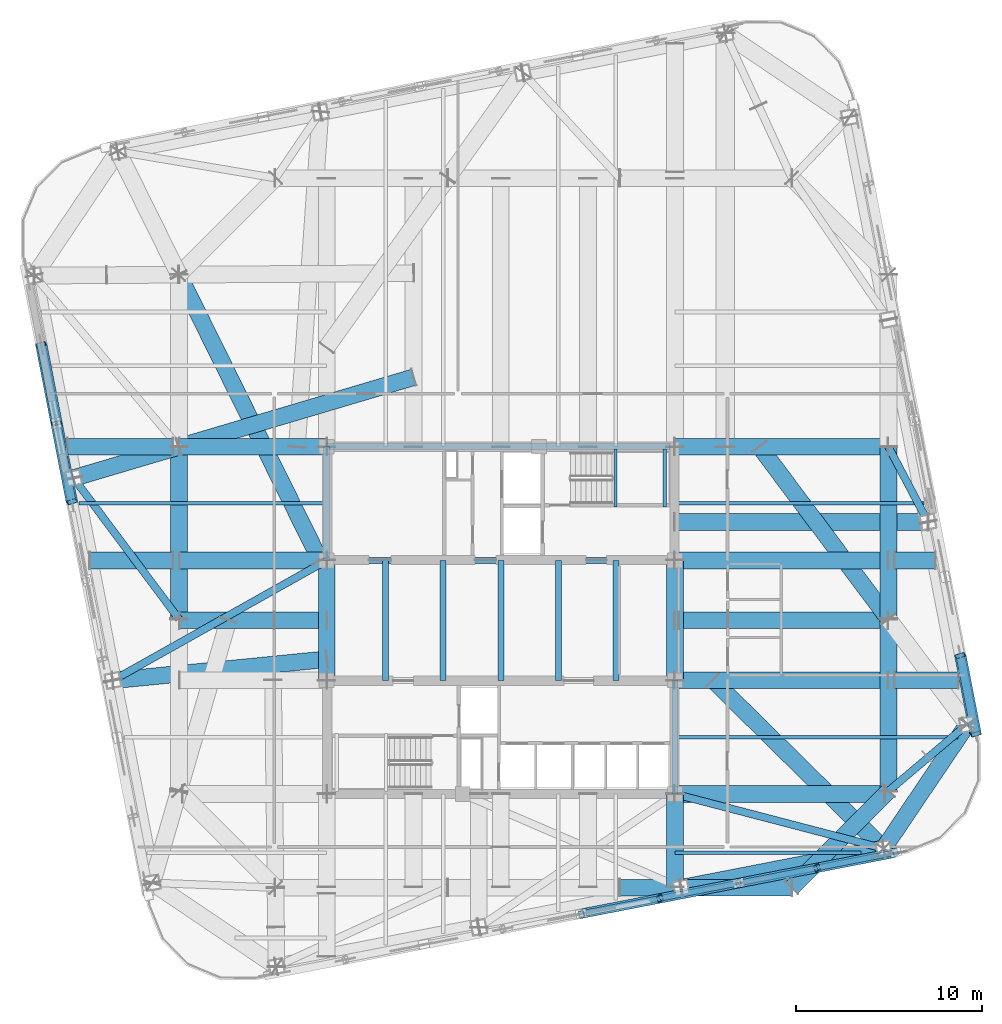
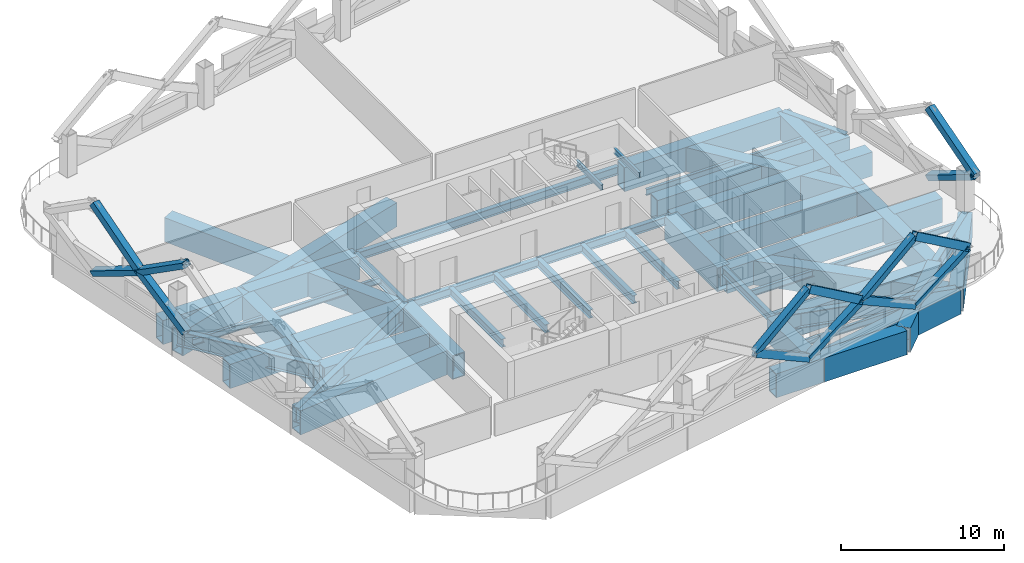
# One storey, part 2 of 14: 49 beams, 14 members.
"""IFC4 building model written with IfcOpenShell, lengths in metres."""

from ifc_helpers import new_model, si_unit, direction, frame, origin, origin_2d, place, context, subcontext, project, spatial, hollow_rectangle, i_section, extrude, material, material_profile, profile_set, type_object, element, save


model = new_model("IFC4")

# Units and contexts
model_context = context("Model", 3, precision=1e-05, world=origin(), true_north=direction((0.0, 1.0)))
body_context = subcontext(model_context, "Body", "Model", "MODEL_VIEW")
ifc_project = project(units=[si_unit("LENGTHUNIT", "METRE"), si_unit("AREAUNIT", "SQUARE_METRE"), si_unit("VOLUMEUNIT", "CUBIC_METRE"), si_unit("PLANEANGLEUNIT", "RADIAN"), si_unit("MASSUNIT", "GRAM", prefix="KILO")], contexts=[model_context])

# Site, building, storey
site_placement = place(None, origin())
site = spatial("IfcSite", under=ifc_project, at=site_placement, CompositionType="ELEMENT")
building_placement = place(site_placement, origin())
building = spatial("IfcBuilding", under=site, at=building_placement, Name="Qhalaya Broadcast Tower", CompositionType="ELEMENT")
storey_placement = place(building_placement, frame((0.0, 0.0, 112.800048828125)))
storey = spatial("IfcBuildingStorey", under=building, at=storey_placement, Name="L32", CompositionType="ELEMENT", Elevation=112.800048828125)

# Beams
ifc_material_1 = material(Name="Structural Steel ASTM A572 Grade 50", Category="steel")
ifc_material_profile_1 = material_profile(ifc_material_1, hollow_rectangle(XDim=0.89990234375, YDim=1.800048828125, WallThickness=0.06005859375, at=origin_2d()), Name="BOX 900x1800x60")
ifc_profile_set_1 = profile_set([ifc_material_profile_1], Name="Structural Steel ASTM A572 Grade 50")
beam_type_1 = type_object("IfcBeamType", Name="Block Cantilever Transfer Box Girder TG1", PredefinedType="USERDEFINED", material=ifc_profile_set_1)
beam_1_placement = place(storey_placement, frame((9.712646484375, -13.80029296875, -1.1201171875), z_axis=(0.981627979352, 0.190804900759, 0.0), x_axis=(-0.190804900759, 0.981627979352, 0.0)))
element("IfcBeam", 1, at=beam_1_placement, inside=storey, type_object=beam_type_1, Name="L32 TG1 L32-SPR-03", ObjectType="GIRDER", PredefinedType="USERDEFINED", context=body_context, shape_type="SweptSolid", body=[
    extrude(hollow_rectangle(XDim=0.89990234375, YDim=1.800048828125, WallThickness=0.06005859375, at=origin_2d()), origin(), (0.0, 0.0, 1.0), 11.099853515625),
])
beam_2_placement = place(storey_placement, frame((20.608642578125, -11.682373046875, -1.1201171875), z_axis=(0.559186208288, 0.829042088473, 0.0), x_axis=(-0.829042088473, 0.559186208288, 0.0)))
element("IfcBeam", 2, at=beam_2_placement, inside=storey, type_object=beam_type_1, Name="L32 TG1 L32-SPR-04", ObjectType="GIRDER", PredefinedType="USERDEFINED", context=body_context, shape_type="SweptSolid", body=[
    extrude(hollow_rectangle(XDim=0.89990234375, YDim=1.800048828125, WallThickness=0.06005859375, at=origin_2d()), origin(), (0.0, 0.0, 1.0), 8.06103515625),
])
beam_3_placement = place(storey_placement, frame((6.4033203125, -13.7900390625, -1.1201171875), z_axis=(1.0, 0.0, 0.0), x_axis=(0.0, 1.0, 0.0)))
element("IfcBeam", 3, at=beam_3_placement, inside=storey, type_object=beam_type_1, Name="L32 TG1 L32-TGL-03", ObjectType="GIRDER", PredefinedType="USERDEFINED", context=body_context, shape_type="SweptSolid", body=[
    extrude(hollow_rectangle(XDim=0.89990234375, YDim=1.800048828125, WallThickness=0.06005859375, at=origin_2d()), origin(), (0.0, 0.0, 1.0), 9.2666015625),
])
beam_4_placement = place(storey_placement, frame((15.669921875, -13.7900390625, -1.1201171875), z_axis=(0.707123380132, 0.707090181851, 0.0), x_axis=(-0.707090181851, 0.707123380132, 0.0)))
element("IfcBeam", 4, at=beam_4_placement, inside=storey, type_object=beam_type_1, Name="L32 TG1 L32-TGL-04", ObjectType="GIRDER", PredefinedType="USERDEFINED", context=body_context, shape_type="SweptSolid", body=[
    extrude(hollow_rectangle(XDim=0.89990234375, YDim=1.800048828125, WallThickness=0.06005859375, at=origin_2d()), origin(), (0.0, 0.0, 1.0), 7.35400390625),
])
beam_5_placement = place(storey_placement, frame((20.8701171875, -8.590087890625, -1.1201171875), z_axis=(0.0, 1.0, 0.0), x_axis=(-1.0, 0.0, 0.0)))
element("IfcBeam", 5, at=beam_5_placement, inside=storey, type_object=beam_type_1, Name="L32 TG1 L32-TGL-05", ObjectType="GIRDER", PredefinedType="USERDEFINED", context=body_context, shape_type="SweptSolid", body=[
    extrude(hollow_rectangle(XDim=0.89990234375, YDim=1.800048828125, WallThickness=0.06005859375, at=origin_2d()), origin(), (0.0, 0.0, 1.0), 9.266845703125),
])
for number, where, z_axis, x_axis, name in (
    (6, (20.8701171875, 0.6767578125, -1.1201171875), (0.0, 1.0, 0.0), (-1.0, 0.0, 0.0), "L32 TG1 L32-TGL-06"),
    (7, (-17.330078125, 9.943359375, -1.1201171875), (0.0, -1.0, 0.0), (1.0, 0.0, 0.0), "L32 TG1 L32-TGL-14"),
):
    element("IfcBeam", number, at=place(storey_placement, frame(where, z_axis=z_axis, x_axis=x_axis)), inside=storey, type_object=beam_type_1, Name=name, ObjectType="GIRDER", PredefinedType="USERDEFINED", context=body_context, shape_type="SweptSolid", body=[
        extrude(hollow_rectangle(XDim=0.89990234375, YDim=1.800048828125, WallThickness=0.06005859375, at=origin_2d()), origin(), (0.0, 0.0, 1.0), 9.2666015625),
    ])
beam_6_placement = place(storey_placement, frame((-17.2900390625, 0.60009765625, -1.1201171875), z_axis=(1.0, 0.0, 0.0), x_axis=(0.0, 1.0, 0.0)))
element("IfcBeam", 8, at=beam_6_placement, inside=storey, type_object=beam_type_1, Name="L32 TG1 L32-TGIYW-1", ObjectType="GIRDER", PredefinedType="USERDEFINED", context=body_context, shape_type="SweptSolid", body=[
    extrude(hollow_rectangle(XDim=0.89990234375, YDim=1.800048828125, WallThickness=0.06005859375, at=origin_2d()), origin(), (0.0, 0.0, 1.0), 7.9150390625),
])
beam_7_placement = place(storey_placement, frame((9.375, 0.60009765625, -1.1201171875), z_axis=(1.0, 0.0, 0.0), x_axis=(0.0, 1.0, 0.0)))
element("IfcBeam", 9, at=beam_7_placement, inside=storey, type_object=beam_type_1, Name="L32 TG1 L32-TGIYE-1", ObjectType="GIRDER", PredefinedType="USERDEFINED", context=body_context, shape_type="SweptSolid", body=[
    extrude(hollow_rectangle(XDim=0.89990234375, YDim=1.800048828125, WallThickness=0.06005859375, at=origin_2d()), origin(), (0.0, 0.0, 1.0), 11.455078125),
])
beam_8_placement = place(storey_placement, frame((9.375, -13.75, -1.1201171875), z_axis=(0.0, 1.0, 0.0), x_axis=(-1.0, 0.0, 0.0)))
element("IfcBeam", 10, at=beam_8_placement, inside=storey, type_object=beam_type_1, Name="L32 TG1 L32-TGISE-1", ObjectType="GIRDER", PredefinedType="USERDEFINED", context=body_context, shape_type="SweptSolid", body=[
    extrude(hollow_rectangle(XDim=0.89990234375, YDim=1.800048828125, WallThickness=0.06005859375, at=origin_2d()), origin(), (0.0, 0.0, 1.0), 5.0),
])
for number, where, z_axis, x_axis, name in (
    (11, (-9.375, -2.625, -1.1201171875), (0.0, 1.0, 0.0), (-1.0, 0.0, 0.0), "L32 TG1 L32-TGIMW-1"),
    (12, (9.375, -2.625, -1.1201171875), (0.0, 1.0, 0.0), (-1.0, 0.0, 0.0), "L32 TG1 L32-TGIME-1"),
):
    element("IfcBeam", number, at=place(storey_placement, frame(where, z_axis=z_axis, x_axis=x_axis)), inside=storey, type_object=beam_type_1, Name=name, ObjectType="GIRDER", PredefinedType="USERDEFINED", context=body_context, shape_type="SweptSolid", body=[
        extrude(hollow_rectangle(XDim=0.89990234375, YDim=1.800048828125, WallThickness=0.06005859375, at=origin_2d()), origin(), (0.0, 0.0, 1.0), 6.449951171875),
    ])
beam_9_placement = place(storey_placement, frame((9.375, -8.75, -1.1201171875), z_axis=(1.0, 0.0, 0.0), x_axis=(0.0, 1.0, 0.0)))
element("IfcBeam", 13, at=beam_9_placement, inside=storey, type_object=beam_type_1, Name="L32 TG1 L32-TGIY1E-1", ObjectType="GIRDER", PredefinedType="USERDEFINED", context=body_context, shape_type="SweptSolid", body=[
    extrude(hollow_rectangle(XDim=0.89990234375, YDim=1.800048828125, WallThickness=0.06005859375, at=origin_2d()), origin(), (0.0, 0.0, 1.0), 11.2783203125),
])
beam_10_placement = place(storey_placement, frame((9.375, -2.625, -1.1201171875), z_axis=(1.0, 0.0, 0.0), x_axis=(0.0, 1.0, 0.0)))
element("IfcBeam", 14, at=beam_10_placement, inside=storey, type_object=beam_type_1, Name="L32 TG1 L32-TGIY2E-1", ObjectType="GIRDER", PredefinedType="USERDEFINED", context=body_context, shape_type="SweptSolid", body=[
    extrude(hollow_rectangle(XDim=0.89990234375, YDim=1.800048828125, WallThickness=0.06005859375, at=origin_2d()), origin(), (0.0, 0.0, 1.0), 11.455078125),
])
beam_11_placement = place(storey_placement, frame((-17.2900390625, 3.824951171875, -1.1201171875), z_axis=(1.0, 0.0, 0.0), x_axis=(0.0, 1.0, 0.0)))
element("IfcBeam", 15, at=beam_11_placement, inside=storey, type_object=beam_type_1, Name="L32 TG1 L32-TGIY3W-1", ObjectType="GIRDER", PredefinedType="USERDEFINED", context=body_context, shape_type="SweptSolid", body=[
    extrude(hollow_rectangle(XDim=0.89990234375, YDim=1.800048828125, WallThickness=0.06005859375, at=origin_2d()), origin(), (0.0, 0.0, 1.0), 7.9150390625),
])
beam_12_placement = place(storey_placement, frame((9.375, 3.824951171875, -1.1201171875), z_axis=(1.0, 0.0, 0.0), x_axis=(0.0, 1.0, 0.0)))
element("IfcBeam", 16, at=beam_12_placement, inside=storey, type_object=beam_type_1, Name="L32 TG1 L32-TGIY3E-1", ObjectType="GIRDER", PredefinedType="USERDEFINED", context=body_context, shape_type="SweptSolid", body=[
    extrude(hollow_rectangle(XDim=0.89990234375, YDim=1.800048828125, WallThickness=0.06005859375, at=origin_2d()), origin(), (0.0, 0.0, 1.0), 11.455078125),
])
beam_13_placement = place(storey_placement, frame((-17.2900390625, 9.949951171875, -1.1201171875), z_axis=(1.0, 0.0, 0.0), x_axis=(0.0, 1.0, 0.0)))
element("IfcBeam", 17, at=beam_13_placement, inside=storey, type_object=beam_type_1, Name="L32 TG1 L32-TGIY4W-1", ObjectType="GIRDER", PredefinedType="USERDEFINED", context=body_context, shape_type="SweptSolid", body=[
    extrude(hollow_rectangle(XDim=0.89990234375, YDim=1.800048828125, WallThickness=0.06005859375, at=origin_2d()), origin(), (0.0, 0.0, 1.0), 7.9150390625),
])
beam_14_placement = place(storey_placement, frame((9.375, 9.949951171875, -1.1201171875), z_axis=(1.0, 0.0, 0.0), x_axis=(0.0, 1.0, 0.0)))
element("IfcBeam", 18, at=beam_14_placement, inside=storey, type_object=beam_type_1, Name="L32 TG1 L32-TGIY4E-1", ObjectType="GIRDER", PredefinedType="USERDEFINED", context=body_context, shape_type="SweptSolid", body=[
    extrude(hollow_rectangle(XDim=0.89990234375, YDim=1.800048828125, WallThickness=0.06005859375, at=origin_2d()), origin(), (0.0, 0.0, 1.0), 11.455078125),
])
beam_15_placement = place(storey_placement, frame((11.427001953125, -2.625, -1.1201171875), z_axis=(0.711907976941, -0.702272762086, 0.0), x_axis=(0.702272762086, 0.711907976941, 0.0)))
element("IfcBeam", 19, at=beam_15_placement, inside=storey, type_object=beam_type_1, Name="L32 Continuous Cantilever Transfer Box Girder 04", ObjectType="GIRDER", PredefinedType="USERDEFINED", context=body_context, shape_type="SweptSolid", body=[
    extrude(hollow_rectangle(XDim=0.89990234375, YDim=1.800048828125, WallThickness=0.06005859375, at=origin_2d()), origin(), (0.0, 0.0, 1.0), 12.897216796875),
])
beam_16_placement = place(storey_placement, frame((13.932861328125, 9.949951171875, -1.1201171875), z_axis=(0.599024755891, -0.80073050512, 0.0), x_axis=(0.80073050512, 0.599024755891, 0.0)))
element("IfcBeam", 20, at=beam_16_placement, inside=storey, type_object=beam_type_1, Name="L32 Collinear Back-Span Transfer Box Girder 05", ObjectType="GIRDER", PredefinedType="USERDEFINED", context=body_context, shape_type="SweptSolid", body=[
    extrude(hollow_rectangle(XDim=0.89990234375, YDim=1.800048828125, WallThickness=0.06005859375, at=origin_2d()), origin(), (0.0, 0.0, 1.0), 11.580810546875),
])
beam_17_placement = place(storey_placement, frame((9.375, 5.896484375, -1.1201171875), z_axis=(1.0, 0.0, 0.0), x_axis=(0.0, 1.0, 0.0)))
element("IfcBeam", 21, at=beam_17_placement, inside=storey, type_object=beam_type_1, Name="L32 Continuous Cantilever Transfer Box Girder 06", ObjectType="GIRDER", PredefinedType="USERDEFINED", context=body_context, shape_type="SweptSolid", body=[
    extrude(hollow_rectangle(XDim=0.89990234375, YDim=1.800048828125, WallThickness=0.06005859375, at=origin_2d()), origin(), (0.0, 0.0, 1.0), 13.623291015625),
])
beam_18_placement = place(storey_placement, frame((-9.724609375, 3.824951171875, -1.1201171875), z_axis=(-0.443151890249, 0.896446541724, 0.0), x_axis=(-0.896446541724, -0.443151890249, 0.0)))
element("IfcBeam", 22, at=beam_18_placement, inside=storey, type_object=beam_type_1, Name="L32 Collinear Back-Span Transfer Box Girder 12", ObjectType="GIRDER", PredefinedType="USERDEFINED", context=body_context, shape_type="SweptSolid", body=[
    extrude(hollow_rectangle(XDim=0.89990234375, YDim=1.800048828125, WallThickness=0.06005859375, at=origin_2d()), origin(), (0.0, 0.0, 1.0), 17.162109375),
])
beam_19_placement = place(storey_placement, frame((-4.699951171875, 13.686279296875, -1.1201171875), z_axis=(-0.958784462849, -0.284134393906, 0.0), x_axis=(0.284134393906, -0.958784462849, 0.0)))
element("IfcBeam", 23, at=beam_19_placement, inside=storey, type_object=beam_type_1, Name="L32 Collinear Back-Span Transfer Box Girder 14", ObjectType="GIRDER", PredefinedType="USERDEFINED", context=body_context, shape_type="SweptSolid", body=[
    extrude(hollow_rectangle(XDim=0.89990234375, YDim=1.800048828125, WallThickness=0.06005859375, at=origin_2d()), origin(), (0.0, 0.0, 1.0), 13.173095703125),
])
beam_20_placement = place(storey_placement, frame((-17.330078125, 9.943359375, -1.1201171875), z_axis=(-0.958776862988, -0.284160037654, 0.0), x_axis=(0.284160037654, -0.958776862988, 0.0)))
element("IfcBeam", 24, at=beam_20_placement, inside=storey, type_object=beam_type_1, Name="L32 Cantilever Transfer Box Girder 14", ObjectType="GIRDER", PredefinedType="USERDEFINED", context=body_context, shape_type="SweptSolid", body=[
    extrude(hollow_rectangle(XDim=0.89990234375, YDim=1.800048828125, WallThickness=0.06005859375, at=origin_2d()), origin(), (0.0, 0.0, 1.0), 5.911865234375),
])
beam_21_placement = place(storey_placement, frame((-9.375, -1.49267578125, -1.1201171875), z_axis=(-0.995127928291, -0.098592121062, 0.0), x_axis=(0.098592121062, -0.995127928291, 0.0)))
element("IfcBeam", 25, at=beam_21_placement, inside=storey, type_object=beam_type_1, Name="L32 Continuous Cantilever Transfer Box Girder 15", ObjectType="GIRDER", PredefinedType="USERDEFINED", context=body_context, shape_type="SweptSolid", body=[
    extrude(hollow_rectangle(XDim=0.89990234375, YDim=1.800048828125, WallThickness=0.06005859375, at=origin_2d()), origin(), (0.0, 0.0, 1.0), 11.561767578125),
])
beam_22_placement = place(storey_placement, frame((21.2099609375, -2.625, -1.1201171875), z_axis=(1.0, 0.0, 0.0), x_axis=(0.0, 1.0, 0.0)))
element("IfcBeam", 26, at=beam_22_placement, inside=storey, type_object=beam_type_1, Name="L32 TG1 L32-PGYE2-OV1", ObjectType="GIRDER", PredefinedType="USERDEFINED", context=body_context, shape_type="SweptSolid", body=[
    extrude(hollow_rectangle(XDim=0.89990234375, YDim=1.800048828125, WallThickness=0.06005859375, at=origin_2d()), origin(), (0.0, 0.0, 1.0), 3.424560546875),
])
beam_23_placement = place(storey_placement, frame((-22.115234375, 3.824951171875, -1.1201171875), z_axis=(1.0, 0.0, 0.0), x_axis=(0.0, 1.0, 0.0)))
element("IfcBeam", 27, at=beam_23_placement, inside=storey, type_object=beam_type_1, Name="L32 TG1 L32-PGYW3-OV1", ObjectType="GIRDER", PredefinedType="USERDEFINED", context=body_context, shape_type="SweptSolid", body=[
    extrude(hollow_rectangle(XDim=0.89990234375, YDim=1.800048828125, WallThickness=0.06005859375, at=origin_2d()), origin(), (0.0, 0.0, 1.0), 4.4453125),
])
beam_24_placement = place(storey_placement, frame((21.2099609375, 3.824951171875, -1.1201171875), z_axis=(1.0, 0.0, 0.0), x_axis=(0.0, 1.0, 0.0)))
element("IfcBeam", 28, at=beam_24_placement, inside=storey, type_object=beam_type_1, Name="L32 TG1 L32-PGYE3-OV1", ObjectType="GIRDER", PredefinedType="USERDEFINED", context=body_context, shape_type="SweptSolid", body=[
    extrude(hollow_rectangle(XDim=0.89990234375, YDim=1.800048828125, WallThickness=0.06005859375, at=origin_2d()), origin(), (0.0, 0.0, 1.0), 2.170654296875),
])
beam_25_placement = place(storey_placement, frame((-23.305908203125, 9.949951171875, -1.1201171875), z_axis=(1.0, 0.0, 0.0), x_axis=(0.0, 1.0, 0.0)))
element("IfcBeam", 29, at=beam_25_placement, inside=storey, type_object=beam_type_1, Name="L32 TG1 L32-PGYW4-OV1", ObjectType="GIRDER", PredefinedType="USERDEFINED", context=body_context, shape_type="SweptSolid", body=[
    extrude(hollow_rectangle(XDim=0.89990234375, YDim=1.800048828125, WallThickness=0.06005859375, at=origin_2d()), origin(), (0.0, 0.0, 1.0), 5.635986328125),
])
ifc_material_2 = material(Name="Structural Steel ASTM A992 Grade 50", Category="steel")
ifc_material_profile_2 = material_profile(ifc_material_2, i_section(OverallWidth=0.19189453125, OverallDepth=0.462890625, WebThickness=0.010498046875, FlangeThickness=0.017578125, at=origin_2d()), Name="W18X60")
ifc_profile_set_2 = profile_set([ifc_material_profile_2], Name="Structural Steel ASTM A992 Grade 50")
beam_type_2 = type_object("IfcBeamType", Name="Composite Floor Joist J03", PredefinedType="JOIST", material=ifc_profile_set_2)
beam_26_placement = place(storey_placement, frame((9.375, -11.89990234375, -0.45166015625), z_axis=(1.0, 0.0, 0.0), x_axis=(0.0, 1.0, 0.0)))
element("IfcBeam", 30, at=beam_26_placement, inside=storey, type_object=beam_type_2, Name="L32 J03 L32-JWE2E-1", PredefinedType="JOIST", context=body_context, shape_type="SweptSolid", body=[
    extrude(i_section(OverallWidth=0.19189453125, OverallDepth=0.462890625, WebThickness=0.010498046875, FlangeThickness=0.017578125, at=origin_2d()), origin(), (0.0, 0.0, 1.0), 10.009521484375),
])
beam_27_placement = place(storey_placement, frame((9.375, -5.699951171875, -0.45166015625), z_axis=(1.0, 0.0, 0.0), x_axis=(0.0, 1.0, 0.0)))
element("IfcBeam", 31, at=beam_27_placement, inside=storey, type_object=beam_type_2, Name="L32 J03 L32-JWE3E-1", PredefinedType="JOIST", context=body_context, shape_type="SweptSolid", body=[
    extrude(i_section(OverallWidth=0.19189453125, OverallDepth=0.462890625, WebThickness=0.010498046875, FlangeThickness=0.017578125, at=origin_2d()), origin(), (0.0, 0.0, 1.0), 15.24462890625),
])
beam_28_placement = place(storey_placement, frame((-22.712890625, 6.89990234375, -0.45166015625), z_axis=(1.0, 0.0, 0.0), x_axis=(0.0, 1.0, 0.0)))
element("IfcBeam", 32, at=beam_28_placement, inside=storey, type_object=beam_type_2, Name="L32 J03 L32-JWE5W-1", PredefinedType="JOIST", context=body_context, shape_type="SweptSolid", body=[
    extrude(i_section(OverallWidth=0.19189453125, OverallDepth=0.462890625, WebThickness=0.010498046875, FlangeThickness=0.017578125, at=origin_2d()), origin(), (0.0, 0.0, 1.0), 13.337890625),
])
beam_29_placement = place(storey_placement, frame((9.375, 6.89990234375, -0.45166015625), z_axis=(1.0, 0.0, 0.0), x_axis=(0.0, 1.0, 0.0)))
element("IfcBeam", 33, at=beam_29_placement, inside=storey, type_object=beam_type_2, Name="L32 J03 L32-JWE5E-1", PredefinedType="JOIST", context=body_context, shape_type="SweptSolid", body=[
    extrude(i_section(OverallWidth=0.19189453125, OverallDepth=0.462890625, WebThickness=0.010498046875, FlangeThickness=0.017578125, at=origin_2d()), origin(), (0.0, 0.0, 1.0), 13.407958984375),
])
ifc_material_profile_3 = material_profile(ifc_material_2, i_section(OverallWidth=0.323974609375, OverallDepth=0.612060546875, WebThickness=0.0126953125, FlangeThickness=0.01904296875, at=origin_2d()), Name="W24X104")
ifc_profile_set_3 = profile_set([ifc_material_profile_3], Name="Structural Steel ASTM A992 Grade 50")
beam_type_3 = type_object("IfcBeamType", Name="Core Frame Tie Beam B04", PredefinedType="BEAM", material=ifc_profile_set_3)
beam_30_placement = place(storey_placement, frame((-9.375, 3.824951171875, -0.526123046875), z_axis=(1.0, 0.0, 0.0), x_axis=(0.0, 1.0, 0.0)))
element("IfcBeam", 34, at=beam_30_placement, inside=storey, type_object=beam_type_3, Name="L32 B04 L32-CCN1", PredefinedType="BEAM", context=body_context, shape_type="SweptSolid", body=[
    extrude(i_section(OverallWidth=0.323974609375, OverallDepth=0.612060546875, WebThickness=0.0126953125, FlangeThickness=0.01904296875, at=origin_2d()), origin(), (0.0, 0.0, 1.0), 18.75),
])
beam_31_placement = place(storey_placement, frame((-9.375, 3.824951171875, -0.526123046875), z_axis=(0.0, 1.0, 0.0), x_axis=(-1.0, 0.0, 0.0)))
element("IfcBeam", 35, at=beam_31_placement, inside=storey, type_object=beam_type_3, Name="L32 B04 L32-CCN2", PredefinedType="BEAM", context=body_context, shape_type="SweptSolid", body=[
    extrude(i_section(OverallWidth=0.323974609375, OverallDepth=0.612060546875, WebThickness=0.0126953125, FlangeThickness=0.01904296875, at=origin_2d()), origin(), (0.0, 0.0, 1.0), 6.125),
])
beam_32_placement = place(storey_placement, frame((-9.375, 9.949951171875, -0.526123046875), z_axis=(1.0, 0.0, 0.0), x_axis=(0.0, 1.0, 0.0)))
element("IfcBeam", 36, at=beam_32_placement, inside=storey, type_object=beam_type_3, Name="L32 B04 L32-CCN3", PredefinedType="BEAM", context=body_context, shape_type="SweptSolid", body=[
    extrude(i_section(OverallWidth=0.323974609375, OverallDepth=0.612060546875, WebThickness=0.0126953125, FlangeThickness=0.01904296875, at=origin_2d()), origin(), (0.0, 0.0, 1.0), 18.4951171875),
])
beam_33_placement = place(storey_placement, frame((9.375, -8.75, -0.526123046875), z_axis=(0.0, 1.0, 0.0), x_axis=(-1.0, 0.0, 0.0)))
element("IfcBeam", 37, at=beam_33_placement, inside=storey, type_object=beam_type_3, Name="L32 B04 L32-CCS2", PredefinedType="BEAM", context=body_context, shape_type="SweptSolid", body=[
    extrude(i_section(OverallWidth=0.323974609375, OverallDepth=0.612060546875, WebThickness=0.0126953125, FlangeThickness=0.01904296875, at=origin_2d()), origin(), (0.0, 0.0, 1.0), 6.125),
])
for number, where, z_axis, x_axis, name in (
    (38, (-6.199951171875, -2.625, -0.526123046875), (0.0, 1.0, 0.0), (-1.0, 0.0, 0.0), "L32 B04 L32-JC1-1"),
    (39, (-3.10009765625, -2.625, -0.526123046875), (0.0, 1.0, 0.0), (-1.0, 0.0, 0.0), "L32 B04 L32-JC2-1"),
    (40, (0.0, -2.625, -0.526123046875), (0.0, 1.0, 0.0), (-1.0, 0.0, 0.0), "L32 B04 L32-JC3-1"),
    (41, (3.10009765625, -2.625, -0.526123046875), (0.0, 1.0, 0.0), (-1.0, 0.0, 0.0), "L32 B04 L32-JC4-1"),
    (42, (6.199951171875, -2.625, -0.526123046875), (0.0, 1.0, 0.0), (-1.0, 0.0, 0.0), "L32 B04 L32-JC5-1"),
):
    element("IfcBeam", number, at=place(storey_placement, frame(where, z_axis=z_axis, x_axis=x_axis)), inside=storey, type_object=beam_type_3, Name=name, PredefinedType="BEAM", context=body_context, shape_type="SweptSolid", body=[
        extrude(i_section(OverallWidth=0.323974609375, OverallDepth=0.612060546875, WebThickness=0.0126953125, FlangeThickness=0.01904296875, at=origin_2d()), origin(), (0.0, 0.0, 1.0), 6.449951171875),
    ])

# Members
ifc_material_profile_4 = material_profile(ifc_material_1, hollow_rectangle(XDim=0.419921875, YDim=0.550048828125, WallThickness=0.028076171875, at=origin_2d()), Name="BOX 420x550x28")
ifc_profile_set_4 = profile_set([ifc_material_profile_4], Name="Structural Steel ASTM A572 Grade 50")
member_type = type_object("IfcMemberType", Name="Exoskeleton Diamond Diagonal Mid-Low EX2", PredefinedType="BRACE", material=ifc_profile_set_4)
for number, where, z_axis, x_axis, name in (
    (43, (8.562744140625, -14.370361328125, 0.35986328125), (-0.86362522784, -0.167853798825, 0.475369927591), (0.276322709835, -0.946290155626, 0.167871085642), "B3 Exoskeleton Diamond Brace S3-D1"),
    (44, (8.562744140625, -14.370361328125, 0.35986328125), (0.863618006517, 0.167902203124, 0.475365952719), (-0.276374553568, 0.946274942687, 0.167871495444), "B3 Exoskeleton Diamond Brace S3-D2"),
):
    element("IfcMember", number, at=place(storey_placement, frame(where, z_axis=z_axis, x_axis=x_axis)), inside=storey, type_object=member_type, Name=name, PredefinedType="BRACE", context=body_context, shape_type="SweptSolid", body=[
        extrude(hollow_rectangle(XDim=0.419921875, YDim=0.550048828125, WallThickness=0.028076171875, at=origin_2d()), origin(), (0.0, 0.0, 1.0), 4.901611328125),
    ])
for number, where, z_axis, x_axis, name in (
    (45, (4.32958984375, -15.193115234375, 2.68994140625), (0.822430012189, 0.159847115813, 0.545946677449), (-0.289542019185, 0.943720856791, 0.159863578043), "B3 Exoskeleton Diamond Brace S3-D3"),
    (46, (12.7958984375, -13.54736328125, 2.68994140625), (-0.822423775729, -0.159893335716, 0.545942537553), (0.289593689204, -0.943704915221, 0.15986409278), "B3 Exoskeleton Diamond Brace S3-D4"),
):
    element("IfcMember", number, at=place(storey_placement, frame(where, z_axis=z_axis, x_axis=x_axis)), inside=storey, type_object=member_type, Name=name, PredefinedType="BRACE", context=body_context, shape_type="SweptSolid", body=[
        extrude(hollow_rectangle(XDim=0.419921875, YDim=0.550048828125, WallThickness=0.028076171875, at=origin_2d()), origin(), (0.0, 0.0, 1.0), 5.147216796875),
    ])
member_1_placement = place(storey_placement, frame((17.029296875, -12.724609375, 0.35986328125), z_axis=(-0.863637885863, -0.16784657874, 0.47534947997), x_axis=(0.276308659238, -0.946293884406, 0.167873193708)))
element("IfcMember", 47, at=member_1_placement, inside=storey, type_object=member_type, Name="B3 Exoskeleton Diamond Brace S4-D1", PredefinedType="BRACE", context=body_context, shape_type="SweptSolid", body=[
    extrude(hollow_rectangle(XDim=0.419921875, YDim=0.550048828125, WallThickness=0.028076171875, at=origin_2d()), origin(), (0.0, 0.0, 1.0), 4.90185546875),
])
member_2_placement = place(storey_placement, frame((17.029296875, -12.724609375, 0.35986328125), z_axis=(0.863618006517, 0.167902203124, 0.475365952719), x_axis=(-0.276374553568, 0.946274942687, 0.167871495444)))
element("IfcMember", 48, at=member_2_placement, inside=storey, type_object=member_type, Name="B3 Exoskeleton Diamond Brace S4-D2", PredefinedType="BRACE", context=body_context, shape_type="SweptSolid", body=[
    extrude(hollow_rectangle(XDim=0.419921875, YDim=0.550048828125, WallThickness=0.028076171875, at=origin_2d()), origin(), (0.0, 0.0, 1.0), 4.901611328125),
])
for number, where, z_axis, x_axis, name in (
    (49, (12.7958984375, -13.54736328125, 2.68994140625), (0.822445360829, 0.159840880392, 0.545925380804), (-0.289527837313, 0.943724759255, 0.159866225918), "B3 Exoskeleton Diamond Brace S4-D3"),
    (50, (21.262451171875, -11.901611328125, 2.68994140625), (-0.822423775729, -0.159893335716, 0.545942537553), (0.289593689204, -0.943704915221, 0.15986409278), "B3 Exoskeleton Diamond Brace S4-D4"),
):
    element("IfcMember", number, at=place(storey_placement, frame(where, z_axis=z_axis, x_axis=x_axis)), inside=storey, type_object=member_type, Name=name, PredefinedType="BRACE", context=body_context, shape_type="SweptSolid", body=[
        extrude(hollow_rectangle(XDim=0.419921875, YDim=0.550048828125, WallThickness=0.028076171875, at=origin_2d()), origin(), (0.0, 0.0, 1.0), 5.147216796875),
    ])
member_3_placement = place(storey_placement, frame((24.74169921875, -1.290283203125, 0.35986328125), z_axis=(0.167894981079, -0.863630665056, 0.475345505611), x_axis=(-0.276347513602, 0.421624178814, 0.863634820723)))
element("IfcMember", 51, at=member_3_placement, inside=storey, type_object=member_type, Name="B3 Exoskeleton Diamond Brace E1-D1", PredefinedType="BRACE", context=body_context, shape_type="SweptSolid", body=[
    extrude(hollow_rectangle(XDim=0.419921875, YDim=0.550048828125, WallThickness=0.028076171875, at=origin_2d()), origin(), (0.0, 0.0, 1.0), 4.90185546875),
])
member_4_placement = place(storey_placement, frame((25.564697265625, -5.523681640625, 2.68994140625), z_axis=(-0.159887098587, 0.822439124739, 0.545921241393), x_axis=(0.289568264946, -0.489630060841, 0.822443082199)))
element("IfcMember", 52, at=member_4_placement, inside=storey, type_object=member_type, Name="B3 Exoskeleton Diamond Brace E1-D3", PredefinedType="BRACE", context=body_context, shape_type="SweptSolid", body=[
    extrude(hollow_rectangle(XDim=0.419921875, YDim=0.550048828125, WallThickness=0.028076171875, at=origin_2d()), origin(), (0.0, 0.0, 1.0), 5.1474609375),
])
member_5_placement = place(storey_placement, frame((-24.74169921875, 15.4501953125, 0.35986328125), z_axis=(0.167902203124, -0.863618006517, 0.475365952719), x_axis=(-0.276355899211, 0.421640895738, 0.863623976052)))
element("IfcMember", 53, at=member_5_placement, inside=storey, type_object=member_type, Name="B3 Exoskeleton Diamond Brace W1-D2", PredefinedType="BRACE", context=body_context, shape_type="SweptSolid", body=[
    extrude(hollow_rectangle(XDim=0.419921875, YDim=0.550048828125, WallThickness=0.028076171875, at=origin_2d()), origin(), (0.0, 0.0, 1.0), 4.901611328125),
])
member_6_placement = place(storey_placement, frame((-23.918701171875, 11.217041015625, 2.68994140625), z_axis=(-0.159893335716, 0.822423775729, 0.545942537553), x_axis=(0.289577544331, -0.489647453062, 0.822429460519)))
element("IfcMember", 54, at=member_6_placement, inside=storey, type_object=member_type, Name="B3 Exoskeleton Diamond Brace W1-D4", PredefinedType="BRACE", context=body_context, shape_type="SweptSolid", body=[
    extrude(hollow_rectangle(XDim=0.419921875, YDim=0.550048828125, WallThickness=0.028076171875, at=origin_2d()), origin(), (0.0, 0.0, 1.0), 5.147216796875),
])
member_7_placement = place(storey_placement, frame((-23.095947265625, 6.98388671875, 0.35986328125), z_axis=(-0.167853798825, 0.86362522784, 0.475369927591), x_axis=(0.276333211151, -0.421660083323, 0.863621867803)))
element("IfcMember", 55, at=member_7_placement, inside=storey, type_object=member_type, Name="B3 Exoskeleton Diamond Brace W2-D1", PredefinedType="BRACE", context=body_context, shape_type="SweptSolid", body=[
    extrude(hollow_rectangle(XDim=0.419921875, YDim=0.550048828125, WallThickness=0.028076171875, at=origin_2d()), origin(), (0.0, 0.0, 1.0), 4.901611328125),
])
member_8_placement = place(storey_placement, frame((-23.918701171875, 11.217041015625, 2.68994140625), z_axis=(0.159847115813, -0.822430012189, 0.545946677449), x_axis=(-0.289551107794, 0.489667534331, 0.822426812426)))
element("IfcMember", 56, at=member_8_placement, inside=storey, type_object=member_type, Name="B3 Exoskeleton Diamond Brace W2-D3", PredefinedType="BRACE", context=body_context, shape_type="SweptSolid", body=[
    extrude(hollow_rectangle(XDim=0.419921875, YDim=0.550048828125, WallThickness=0.028076171875, at=origin_2d()), origin(), (0.0, 0.0, 1.0), 5.147216796875),
])

# Beams
ifc_material_profile_5 = material_profile(ifc_material_2, i_section(OverallWidth=0.404052734375, OverallDepth=1.117919921875, WebThickness=0.026123046875, FlangeThickness=0.044921875, at=origin_2d()), Name="W44X335")
ifc_profile_set_5 = profile_set([ifc_material_profile_5], Name="Structural Steel ASTM A992 Grade 50")
beam_type_4 = type_object("IfcBeamType", Name="Podium Long-Span Primary Girder PG1", PredefinedType="USERDEFINED", material=ifc_profile_set_5)
beam_34_placement = place(storey_placement, frame((9.375, -8.75, -0.779052734375), z_axis=(0.967578181537, -0.252571697965, 0.0), x_axis=(0.252571697965, 0.967578181537, 0.0)))
element("IfcBeam", 57, at=beam_34_placement, inside=storey, type_object=beam_type_4, Name="L32 Column-to-Column Moment Tie Girder 04-1", ObjectType="GIRDER", PredefinedType="USERDEFINED", context=body_context, shape_type="SweptSolid", body=[
    extrude(i_section(OverallWidth=0.404052734375, OverallDepth=1.117919921875, WebThickness=0.026123046875, FlangeThickness=0.044921875, at=origin_2d()), origin(), (0.0, 0.0, 1.0), 11.610107421875),
])
beam_35_placement = place(storey_placement, frame((20.8701171875, -8.590087890625, -0.779052734375), z_axis=(0.763587754921, 0.645704065756, 0.0), x_axis=(-0.645704065756, 0.763587754921, 0.0)))
element("IfcBeam", 58, at=beam_35_placement, inside=storey, type_object=beam_type_4, Name="L32 Column-to-Column Moment Tie Girder 05-1", ObjectType="GIRDER", PredefinedType="USERDEFINED", context=body_context, shape_type="SweptSolid", body=[
    extrude(i_section(OverallWidth=0.404052734375, OverallDepth=1.117919921875, WebThickness=0.026123046875, FlangeThickness=0.044921875, at=origin_2d()), origin(), (0.0, 0.0, 1.0), 5.560791015625),
])
beam_36_placement = place(storey_placement, frame((20.8701171875, 9.943359375, -0.779052734375), z_axis=(0.465444914708, -0.885076850546, 0.0), x_axis=(0.885076850546, 0.465444914708, 0.0)))
element("IfcBeam", 59, at=beam_36_placement, inside=storey, type_object=beam_type_4, Name="L32 Column-to-Column Moment Tie Girder 06-1", ObjectType="GIRDER", PredefinedType="USERDEFINED", context=body_context, shape_type="SweptSolid", body=[
    extrude(i_section(OverallWidth=0.404052734375, OverallDepth=1.117919921875, WebThickness=0.026123046875, FlangeThickness=0.044921875, at=origin_2d()), origin(), (0.0, 0.0, 1.0), 4.572265625),
])
beam_37_placement = place(storey_placement, frame((-17.330078125, 0.6767578125, -0.779052734375), z_axis=(-0.598526449198, 0.801103045563, 0.0), x_axis=(-0.801103045563, -0.598526449198, 0.0)))
element("IfcBeam", 60, at=beam_37_placement, inside=storey, type_object=beam_type_4, Name="L32 Column-to-Column Moment Tie Girder 14-2", ObjectType="GIRDER", PredefinedType="USERDEFINED", context=body_context, shape_type="SweptSolid", body=[
    extrude(i_section(OverallWidth=0.404052734375, OverallDepth=1.117919921875, WebThickness=0.026123046875, FlangeThickness=0.044921875, at=origin_2d()), origin(), (0.0, 0.0, 1.0), 9.47021484375),
])
beam_38_placement = place(storey_placement, frame((-9.375, 3.824951171875, -0.779052734375), z_axis=(-0.872036716716, -0.489440460831, 0.0), x_axis=(0.489440460831, -0.872036716716, 0.0)))
element("IfcBeam", 61, at=beam_38_placement, inside=storey, type_object=beam_type_4, Name="L32 Column-to-Column Moment Tie Girder 15-2", ObjectType="GIRDER", PredefinedType="USERDEFINED", context=body_context, shape_type="SweptSolid", body=[
    extrude(i_section(OverallWidth=0.404052734375, OverallDepth=1.117919921875, WebThickness=0.026123046875, FlangeThickness=0.044921875, at=origin_2d()), origin(), (0.0, 0.0, 1.0), 13.193603515625),
])
ifc_material_profile_6 = material_profile(ifc_material_2, i_section(OverallWidth=0.177978515625, OverallDepth=0.406005859375, WebThickness=0.0078125, FlangeThickness=0.0126953125, at=origin_2d()), Name="W16X40")
ifc_profile_set_6 = profile_set([ifc_material_profile_6], Name="Structural Steel ASTM A992 Grade 50")
beam_type_5 = type_object("IfcBeamType", Name="Upper Perimeter Spandrel Beam SP2", PredefinedType="SPANDREL", material=ifc_profile_set_6)
for number, where, z_axis, x_axis, name in (
    (62, (6.175048828125, 6.699951171875, 1.1220703125), (0.0, 1.0, 0.0), (-1.0, 0.0, 0.0), "L32 ST-1 Half-Landing Bearer Beam 1"),
    (63, (8.830078125, 6.699951171875, 1.1220703125), (0.0, 1.0, 0.0), (-1.0, 0.0, 0.0), "L32 ST-1 Half-Landing Bearer Beam 2"),
):
    element("IfcBeam", number, at=place(storey_placement, frame(where, z_axis=z_axis, x_axis=x_axis)), inside=storey, type_object=beam_type_5, Name=name, PredefinedType="SPANDREL", context=body_context, shape_type="SweptSolid", body=[
        extrude(i_section(OverallWidth=0.177978515625, OverallDepth=0.406005859375, WebThickness=0.0078125, FlangeThickness=0.0126953125, at=origin_2d()), origin(), (0.0, 0.0, 1.0), 3.1201171875),
    ])

save(model, "model.ifc")
